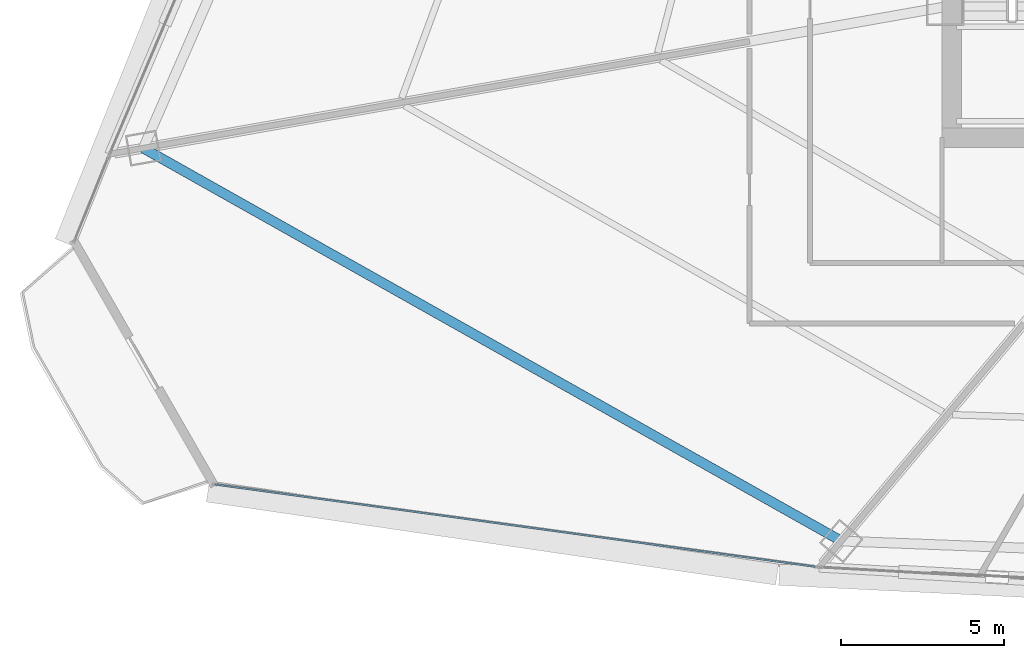
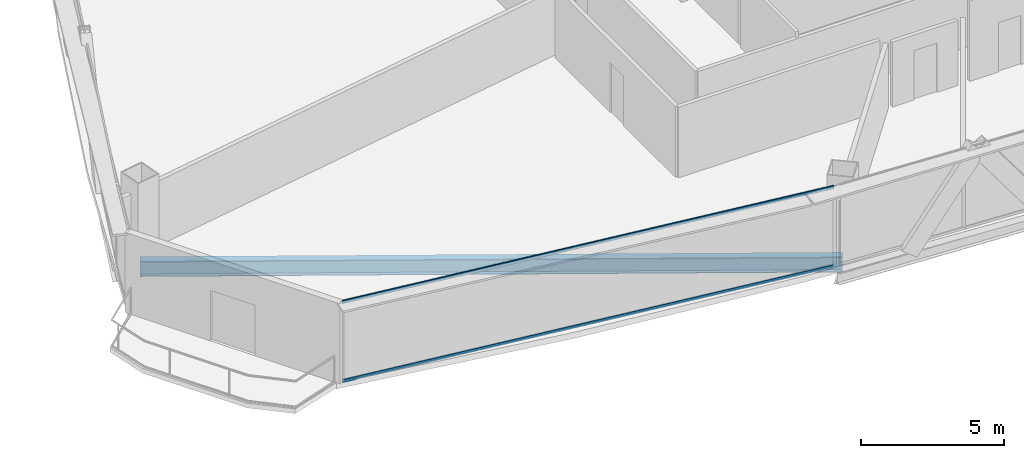
# One storey, part 3 of 39: 2 members, 1 beam, 1 element without a shape of its own.
"""IFC4 building model written with IfcOpenShell, lengths in metres."""

from ifc_helpers import new_model, si_unit, direction, frame, origin, origin_2d, place, context, subcontext, project, spatial, hollow_rectangle, i_section, extrude, source, transform, mapped, material, layer, layer_set, material_profile, profile_set, type_object, element, aggregate, save


model = new_model("IFC4")

# Units and contexts
model_context = context("Model", 3, precision=1e-05, world=origin(), true_north=direction((0.0, 1.0)))
body_context = subcontext(model_context, "Body", "Model", "MODEL_VIEW")
ifc_project = project(units=[si_unit("LENGTHUNIT", "METRE"), si_unit("AREAUNIT", "SQUARE_METRE"), si_unit("VOLUMEUNIT", "CUBIC_METRE"), si_unit("PLANEANGLEUNIT", "RADIAN"), si_unit("MASSUNIT", "GRAM", prefix="KILO"), si_unit("THERMODYNAMICTEMPERATUREUNIT", "KELVIN"), si_unit("POWERUNIT", "WATT")], contexts=[model_context])

# Site, building, storey
site_placement = place(None, origin())
site = spatial("IfcSite", under=ifc_project, at=site_placement, CompositionType="ELEMENT")
building_placement = place(site_placement, origin())
building = spatial("IfcBuilding", under=site, at=building_placement, Name="Yunzhuo Pagoda Commons", CompositionType="ELEMENT")
storey_placement = place(building_placement, frame((0.0, 0.0, 162.949951171875)))
storey = spatial("IfcBuildingStorey", under=building, at=storey_placement, Name="L41", CompositionType="ELEMENT", Elevation=162.949951171875)

# Beam
ifc_material_1 = material(Name="Structural steel Q355B", Category="steel")
ifc_material_profile_1 = material_profile(ifc_material_1, i_section(OverallWidth=0.300048828125, OverallDepth=0.64990234375, WebThickness=0.012939453125, FlangeThickness=0.02197265625, at=origin_2d()), Name="Structural steel Q355B")
ifc_profile_set_1 = profile_set([ifc_material_profile_1], Name="Structural steel Q355B")
beam_type = type_object("IfcBeamType", Name="B-RG2 Beam HN 650x300x13x22", PredefinedType="BEAM", material=ifc_profile_set_1)
shared_shape_1 = source(origin(), body_context, "Body", "SweptSolid", [
    extrude(i_section(OverallWidth=0.300048828125, OverallDepth=0.64990234375, WebThickness=0.012939453125, FlangeThickness=0.02197265625, at=origin_2d()), origin(), (0.0, 0.0, 1.0), 24.56982421875),
])
beam_placement = place(storey_placement, frame((11.0029296875, 27.176513671875, -0.5849609375), z_axis=(0.871469103633, -0.490450406681, 0.0), x_axis=(0.490450406681, 0.871469103633, 0.0)))
element("IfcBeam", 1, at=beam_placement, inside=storey, type_object=beam_type, Name="L41 column-ring beam 12", PredefinedType="BEAM", context=body_context, shape_type="MappedRepresentation", body=[
    mapped(shared_shape_1, transform((0.0, 0.0, 0.0), scale=1.0)),
])

# Curtain wall, members
ifc_material_2 = material(Name="Anodized aluminium 6063-T6", Category="aluminium")
ifc_layer = layer(ifc_material_2, 0.14990234375)
ifc_layer_set = layer_set([ifc_layer], Name="Anodized aluminium 6063-T6")
curtain_wall_type = type_object("IfcCurtainWallType", Name="CW-MID Mid-Zone Ribbon Curtain Wall", PredefinedType="NOTDEFINED", material=ifc_layer_set)
curtain_wall_placement = place(storey_placement, origin())
curtain_wall = element("IfcCurtainWall", 2, at=curtain_wall_placement, inside=storey, type_object=curtain_wall_type, Name="L41 curtain wall CW-L41-F1B1", PredefinedType="NOTDEFINED")
ifc_material_profile_2 = material_profile(ifc_material_2, hollow_rectangle(XDim=0.054931640625, YDim=0.1298828125, WallThickness=0.00341796875, at=origin_2d()), Name="Anodized aluminium 6063-T6")
ifc_profile_set_2 = profile_set([ifc_material_profile_2], Name="Anodized aluminium 6063-T6")
member_type = type_object("IfcMemberType", Name="CW-MID-T Transom RHS 130x55x3.5", PredefinedType="USERDEFINED", material=ifc_profile_set_2)
shared_shape_2 = source(origin(), body_context, "Body", "SweptSolid", [
    extrude(hollow_rectangle(XDim=0.054931640625, YDim=0.1298828125, WallThickness=0.00341796875, at=origin_2d()), origin(), (0.0, 0.0, 1.0), 18.559814453125),
])
member_1_placement = place(storey_placement, frame((13.21826171875, 16.860107421875, 0.027587890625), z_axis=(0.990741021936, -0.135765339663, 0.0), x_axis=(0.135765339663, 0.990741021936, 0.0)))
member_1 = element("IfcMember", 3, at=member_1_placement, type_object=member_type, Name="CW transom 1.1", ObjectType="TRANSOM", PredefinedType="USERDEFINED", context=body_context, shape_type="MappedRepresentation", body=[
    mapped(shared_shape_2, transform((0.0, 0.0, 0.0), scale=1.0)),
])
member_2_placement = place(storey_placement, frame((13.21826171875, 16.860107421875, 3.392578125), z_axis=(0.990741021936, -0.135765339663, 0.0), x_axis=(0.135765339663, 0.990741021936, 0.0)))
member_2 = element("IfcMember", 4, at=member_2_placement, type_object=member_type, Name="CW transom 1.2", ObjectType="TRANSOM", PredefinedType="USERDEFINED", context=body_context, shape_type="MappedRepresentation", body=[
    mapped(shared_shape_2, transform((0.0, 0.0, 0.0), scale=1.0)),
])
aggregate(curtain_wall, [member_1, member_2])

save(model, "model.ifc")
